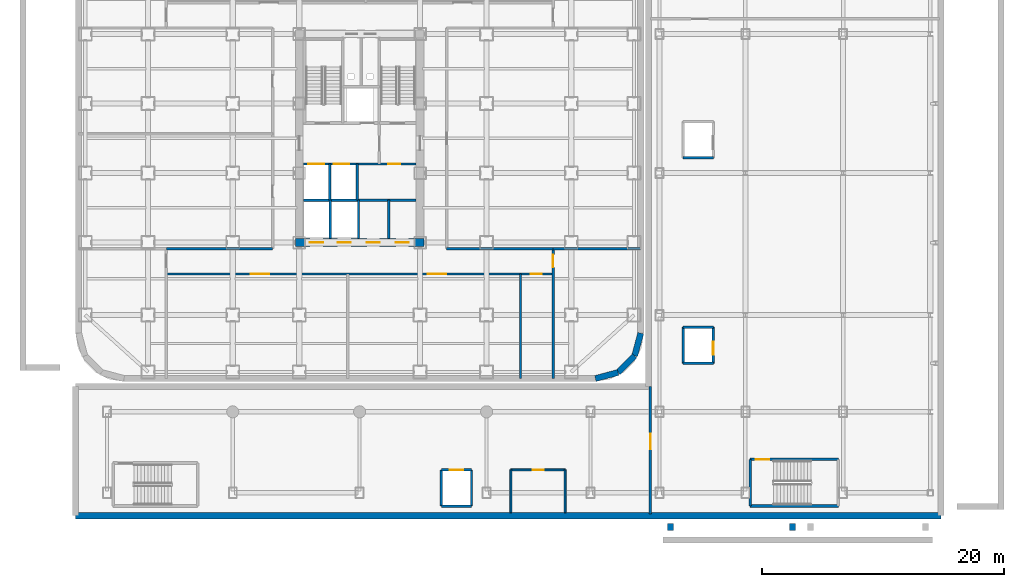
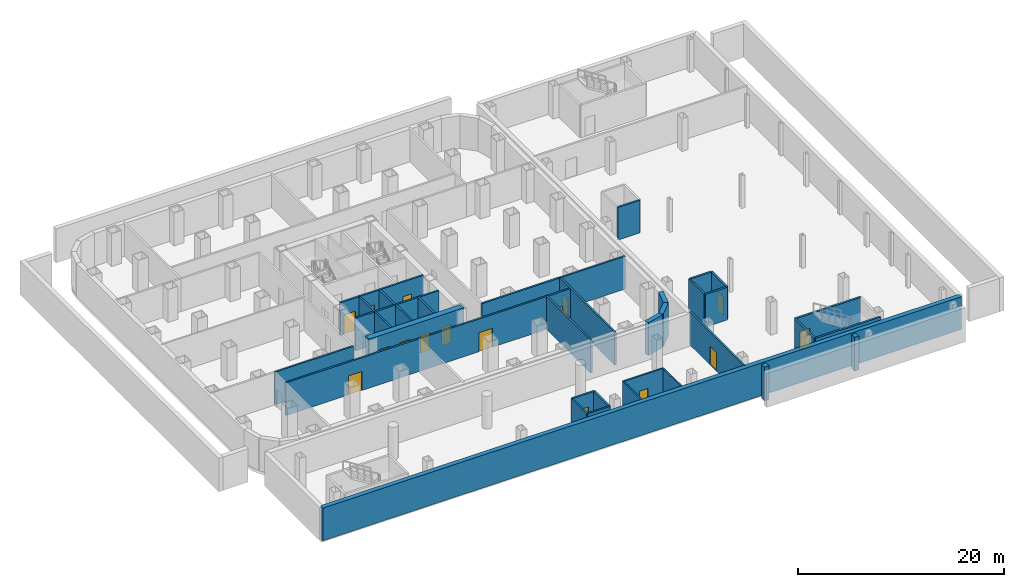
# One storey, part 8 of 16: 36 walls, 16 doors, 16 openings.
"""IFC4 building model written with IfcOpenShell, lengths in metres."""

from ifc_helpers import new_model, si_unit, direction, frame, frame_2d, origin, place, context, subcontext, project, spatial, rectangle, extrude, material, layer, layer_set, type_object, element, fill, save


model = new_model("IFC4")

# Units and contexts
model_context = context("Model", 3, precision=1e-05, world=origin(), true_north=direction((0.0, 1.0)))
body_context = subcontext(model_context, "Body", "Model", "MODEL_VIEW")
ifc_project = project(units=[si_unit("LENGTHUNIT", "METRE"), si_unit("AREAUNIT", "SQUARE_METRE"), si_unit("VOLUMEUNIT", "CUBIC_METRE"), si_unit("PLANEANGLEUNIT", "RADIAN"), si_unit("MASSUNIT", "GRAM", prefix="KILO")], contexts=[model_context])

# Site, building, storey
site_placement = place(None, origin())
site = spatial("IfcSite", under=ifc_project, at=site_placement, CompositionType="ELEMENT")
building_placement = place(site_placement, origin())
building = spatial("IfcBuilding", under=site, at=building_placement, Name="Kolveth Station Tower", CompositionType="ELEMENT")
storey_placement = place(building_placement, frame((0.0, 0.0, -4.199951171875)))
storey = spatial("IfcBuildingStorey", under=building, at=storey_placement, Name="B1", CompositionType="ELEMENT", Elevation=-4.199951171875)

# Wall, openings, doors
ifc_material_1 = material(Name="Concrete C60/75", Category="concrete")
ifc_layer_1 = layer(ifc_material_1, 0.64990234375)
ifc_layer_set_1 = layer_set([ifc_layer_1], Name="Concrete C60/75")
wall_type_1 = type_object("IfcWallType", Name="Wall_CW-650", PredefinedType="SHEAR", material=ifc_layer_set_1)
wall_1_placement = place(storey_placement, frame((18.175048828125, 11.5, 0.0), z_axis=(0.0, 0.0, 1.0), x_axis=(1.0, 0.0, 0.0)))
wall_1 = element("IfcWall", 1, at=wall_1_placement, inside=storey, type_object=wall_type_1, Name="B1 Core RC Shear Wall S", PredefinedType="SHEAR", context=body_context, shape_type="SweptSolid", body=[
    extrude(rectangle(XDim=10.64990234375, YDim=0.64990234375, at=frame_2d((5.324951171875, 0.0))), origin(), (0.0, 0.0, 1.0), 3.8798828125),
])
opening_1_placement = place(wall_1_placement, frame((1.195068359375, 0.0, 0.0)))
opening_1 = element("IfcOpeningElement", 2, at=opening_1_placement, cuts=wall_1, Name="Opening LD1", PredefinedType="OPENING", context=body_context, shape_type="SweptSolid", body=[
    extrude(rectangle(XDim=1.10009765625, YDim=2.25, at=frame_2d((0.550048828125, 1.125))), frame((0.0, 0.3349609375, 0.0), z_axis=(0.0, -1.0, 0.0), x_axis=(1.0, 0.0, 0.0)), (0.0, 0.0, 1.0), 0.669921875),
])
opening_2_placement = place(wall_1_placement, frame((3.4951171875, 0.0, 0.0)))
opening_2 = element("IfcOpeningElement", 3, at=opening_2_placement, cuts=wall_1, Name="Opening LD1", PredefinedType="OPENING", context=body_context, shape_type="SweptSolid", body=[
    extrude(rectangle(XDim=1.10009765625, YDim=2.25, at=frame_2d((0.550048828125, 1.125))), frame((0.0, 0.3349609375, 0.0), z_axis=(0.0, -1.0, 0.0), x_axis=(1.0, 0.0, 0.0)), (0.0, 0.0, 1.0), 0.669921875),
])
opening_3_placement = place(wall_1_placement, frame((5.925048828125, 0.0, 0.0)))
opening_3 = element("IfcOpeningElement", 4, at=opening_3_placement, cuts=wall_1, Name="Opening FD2", PredefinedType="OPENING", context=body_context, shape_type="SweptSolid", body=[
    extrude(rectangle(XDim=1.050048828125, YDim=2.14990234375, at=frame_2d((0.52490234375, 1.074951171875))), frame((0.0, 0.3349609375, 0.0), z_axis=(0.0, -1.0, 0.0), x_axis=(1.0, 0.0, 0.0)), (0.0, 0.0, 1.0), 0.669921875),
])
opening_4_placement = place(wall_1_placement, frame((8.324951171875, 0.0, 0.0)))
opening_4 = element("IfcOpeningElement", 5, at=opening_4_placement, cuts=wall_1, Name="Opening FD2", PredefinedType="OPENING", context=body_context, shape_type="SweptSolid", body=[
    extrude(rectangle(XDim=1.050048828125, YDim=2.14990234375, at=frame_2d((0.52490234375, 1.074951171875))), frame((0.0, 0.3349609375, 0.0), z_axis=(0.0, -1.0, 0.0), x_axis=(1.0, 0.0, 0.0)), (0.0, 0.0, 1.0), 0.669921875),
])
ifc_material_2 = material(Name="Fire-rated Steel S355 leaf and frame", Category="steel")
door_type_1 = type_object("IfcDoorType", Name="Door_FD2", OperationType="NOTDEFINED", PredefinedType="DOOR", material=ifc_material_2)
door_1_placement = place(opening_3_placement, frame((1.050048828125, 0.0, 0.0), z_axis=(0.0, 0.0, 1.0), x_axis=(-1.0, 0.0, 0.0)))
door_1 = element("IfcDoor", 6, at=door_1_placement, inside=storey, type_object=door_type_1, Name="B1 Meter Room Door", OperationType="SINGLE_SWING_LEFT", OverallHeight=2.14990234375, OverallWidth=1.050048828125, PredefinedType="DOOR", context=body_context, shape_type="SweptSolid", body=[
    extrude(rectangle(XDim=1.050048828125, YDim=2.14990234375, at=frame_2d((0.52490234375, 1.074951171875))), frame((0.0, 0.02490234375, 0.0), z_axis=(0.0, -1.0, 0.0), x_axis=(1.0, 0.0, 0.0)), (0.0, 0.0, 1.0), 0.050048828125),
])
fill(opening_3, door_1)
door_2_placement = place(opening_4_placement, frame((1.050048828125, 0.0, 0.0), z_axis=(0.0, 0.0, 1.0), x_axis=(-1.0, 0.0, 0.0)))
door_2 = element("IfcDoor", 7, at=door_2_placement, inside=storey, type_object=door_type_1, Name="B1 Telecom Room Door", OperationType="SINGLE_SWING_LEFT", OverallHeight=2.14990234375, OverallWidth=1.050048828125, PredefinedType="DOOR", context=body_context, shape_type="SweptSolid", body=[
    extrude(rectangle(XDim=1.050048828125, YDim=2.14990234375, at=frame_2d((0.52490234375, 1.074951171875))), frame((0.0, 0.02490234375, 0.0), z_axis=(0.0, -1.0, 0.0), x_axis=(1.0, 0.0, 0.0)), (0.0, 0.0, 1.0), 0.050048828125),
])
fill(opening_4, door_2)
ifc_material_3 = material(Name="Brushed stainless steel sliding landing doors", Category="steel")
door_type_2 = type_object("IfcDoorType", Name="Door_LD1", OperationType="NOTDEFINED", PredefinedType="DOOR", material=ifc_material_3)
door_3_placement = place(opening_1_placement, frame((1.10009765625, 0.0, 0.0), z_axis=(0.0, 0.0, 1.0), x_axis=(-1.0, 0.0, 0.0)))
door_3 = element("IfcDoor", 8, at=door_3_placement, inside=storey, type_object=door_type_2, Name="B1 Lift PL1 Landing Door", OperationType="DOUBLE_DOOR_SLIDING", OverallHeight=2.25, OverallWidth=1.10009765625, PredefinedType="DOOR", context=body_context, shape_type="SweptSolid", body=[
    extrude(rectangle(XDim=1.10009765625, YDim=2.25, at=frame_2d((0.550048828125, 1.125))), frame((0.0, 0.02490234375, 0.0), z_axis=(0.0, -1.0, 0.0), x_axis=(1.0, 0.0, 0.0)), (0.0, 0.0, 1.0), 0.050048828125),
])
fill(opening_1, door_3)
door_4_placement = place(opening_2_placement, frame((1.10009765625, 0.0, 0.0), z_axis=(0.0, 0.0, 1.0), x_axis=(-1.0, 0.0, 0.0)))
door_4 = element("IfcDoor", 9, at=door_4_placement, inside=storey, type_object=door_type_2, Name="B1 Lift PL2 Landing Door", OperationType="DOUBLE_DOOR_SLIDING", OverallHeight=2.25, OverallWidth=1.10009765625, PredefinedType="DOOR", context=body_context, shape_type="SweptSolid", body=[
    extrude(rectangle(XDim=1.10009765625, YDim=2.25, at=frame_2d((0.550048828125, 1.125))), frame((0.0, 0.02490234375, 0.0), z_axis=(0.0, -1.0, 0.0), x_axis=(1.0, 0.0, 0.0)), (0.0, 0.0, 1.0), 0.050048828125),
])
fill(opening_2, door_4)

# Wall, opening, door
ifc_material_4 = material(Name="Acoustic double-stud gypsum partition")
ifc_layer_2 = layer(ifc_material_4, 0.1650390625)
ifc_layer_set_2 = layer_set([ifc_layer_2], Name="Acoustic double-stud gypsum partition")
wall_type_2 = type_object("IfcWallType", Name="Wall_IW-165", PredefinedType="PARTITIONING", material=ifc_layer_set_2)
wall_2_placement = place(storey_placement, frame((36.0, -7.300048828125, 0.0), z_axis=(0.0, 0.0, 1.0), x_axis=(1.0, 0.0, 0.0)))
wall_2 = element("IfcWall", 10, at=wall_2_placement, inside=storey, type_object=wall_type_2, Name="B1 Partition Wall WL-B1-SWC-N", PredefinedType="PARTITIONING", context=body_context, shape_type="SweptSolid", body=[
    extrude(rectangle(XDim=4.5, YDim=0.1650390625, at=frame_2d((2.25, 0.0))), origin(), (0.0, 0.0, 1.0), 3.8798828125),
])
opening_5_placement = place(wall_2_placement, frame((1.800048828125, 0.0, 0.0)))
opening_5 = element("IfcOpeningElement", 11, at=opening_5_placement, cuts=wall_2, Name="Opening ID2", PredefinedType="OPENING", context=body_context, shape_type="SweptSolid", body=[
    extrude(rectangle(XDim=0.919921875, YDim=2.10009765625, at=frame_2d((0.4599609375, 1.050048828125))), frame((0.0, 0.092529296875, 0.0), z_axis=(0.0, -1.0, 0.0), x_axis=(1.0, 0.0, 0.0)), (0.0, 0.0, 1.0), 0.18505859375),
])
ifc_material_5 = material(Name="Moisture-resistant hardwood leaf", Category="wood")
door_type_3 = type_object("IfcDoorType", Name="Door_ID2", OperationType="NOTDEFINED", PredefinedType="DOOR", material=ifc_material_5)
door_5_placement = place(opening_5_placement, origin())
door_5 = element("IfcDoor", 12, at=door_5_placement, inside=storey, type_object=door_type_3, Name="B1 Station Accessible WC Door", OperationType="SINGLE_SWING_LEFT", OverallHeight=2.10009765625, OverallWidth=0.919921875, PredefinedType="DOOR", context=body_context, shape_type="SweptSolid", body=[
    extrude(rectangle(XDim=0.919921875, YDim=2.10009765625, at=frame_2d((0.4599609375, 1.050048828125))), frame((0.0, 0.02490234375, 0.0), z_axis=(0.0, -1.0, 0.0), x_axis=(1.0, 0.0, 0.0)), (0.0, 0.0, 1.0), 0.050048828125),
])
fill(opening_5, door_5)

# Walls
for number, where, z_axis, x_axis, name in (
    (13, (36.0, -10.85009765625, 0.0), (0.0, 0.0, 1.0), (0.0, 1.0, 0.0), "B1 Partition Wall WL-B1-SWC-W"),
    (14, (40.5, -10.85009765625, 0.0), (0.0, 0.0, 1.0), (0.0, 1.0, 0.0), "B1 Partition Wall WL-B1-SWC-E"),
):
    element("IfcWall", number, at=place(storey_placement, frame(where, z_axis=z_axis, x_axis=x_axis)), inside=storey, type_object=wall_type_2, Name=name, PredefinedType="PARTITIONING", context=body_context, shape_type="SweptSolid", body=[
        extrude(rectangle(XDim=3.550048828125, YDim=0.1650390625, at=frame_2d((1.77490234375, 0.0))), origin(), (0.0, 0.0, 1.0), 3.8798828125),
    ])

# Wall, openings, doors
ifc_material_6 = material(Name="Acoustic fire-rated gypsum blockwork", Category="masonry")
ifc_layer_3 = layer(ifc_material_6, 0.199951171875)
ifc_layer_set_3 = layer_set([ifc_layer_3], Name="Acoustic fire-rated gypsum blockwork")
wall_type_3 = type_object("IfcWallType", Name="Wall_IW-200", PredefinedType="PARTITIONING", material=ifc_layer_set_3)
wall_3_placement = place(storey_placement, frame((18.8349609375, 18.0, 0.0), z_axis=(0.0, 0.0, 1.0), x_axis=(1.0, 0.0, 0.0)))
wall_3 = element("IfcWall", 15, at=wall_3_placement, inside=storey, type_object=wall_type_3, Name="B1 Partition Wall WL-B1-FFL-S", PredefinedType="PARTITIONING", context=body_context, shape_type="SweptSolid", body=[
    extrude(rectangle(XDim=9.330078125, YDim=0.199951171875, at=frame_2d((4.6650390625, 0.0))), origin(), (0.0, 0.0, 1.0), 3.8798828125),
])
opening_6_placement = place(wall_3_placement, frame((0.4150390625, 0.0, 0.0)))
opening_6 = element("IfcOpeningElement", 16, at=opening_6_placement, cuts=wall_3, Name="Opening LD2", PredefinedType="OPENING", context=body_context, shape_type="SweptSolid", body=[
    extrude(rectangle(XDim=1.300048828125, YDim=2.300048828125, at=frame_2d((0.64990234375, 1.14990234375))), frame((0.0, 0.10986328125, 0.0), z_axis=(0.0, -1.0, 0.0), x_axis=(1.0, 0.0, 0.0)), (0.0, 0.0, 1.0), 0.219970703125),
])
opening_7_placement = place(wall_3_placement, frame((2.514892578125, 0.0, 0.0)))
opening_7 = element("IfcOpeningElement", 17, at=opening_7_placement, cuts=wall_3, Name="Opening LD2", PredefinedType="OPENING", context=body_context, shape_type="SweptSolid", body=[
    extrude(rectangle(XDim=1.300048828125, YDim=2.300048828125, at=frame_2d((0.64990234375, 1.14990234375))), frame((0.0, 0.10986328125, 0.0), z_axis=(0.0, -1.0, 0.0), x_axis=(1.0, 0.0, 0.0)), (0.0, 0.0, 1.0), 0.219970703125),
])
opening_8_placement = place(wall_3_placement, frame((7.014892578125, 0.0, 0.0)))
opening_8 = element("IfcOpeningElement", 18, at=opening_8_placement, cuts=wall_3, Name="Opening FD3", PredefinedType="OPENING", context=body_context, shape_type="SweptSolid", body=[
    extrude(rectangle(XDim=1.0, YDim=2.14990234375, at=frame_2d((0.5, 1.074951171875))), frame((0.0, 0.10986328125, 0.0), z_axis=(0.0, -1.0, 0.0), x_axis=(1.0, 0.0, 0.0)), (0.0, 0.0, 1.0), 0.219970703125),
])
ifc_material_7 = material(Name="Fire-rated hardwood leaf and aluminium frame", Category="wood")
door_type_4 = type_object("IfcDoorType", Name="Door_FD3", OperationType="NOTDEFINED", PredefinedType="DOOR", material=ifc_material_7)
door_6_placement = place(opening_8_placement, frame((1.0, 0.0, 0.0), z_axis=(0.0, 0.0, 1.0), x_axis=(-1.0, 0.0, 0.0)))
door_6 = element("IfcDoor", 19, at=door_6_placement, inside=storey, type_object=door_type_4, Name="B1 Core Staff Pantry Door", OperationType="SINGLE_SWING_LEFT", OverallHeight=2.14990234375, OverallWidth=1.0, PredefinedType="DOOR", context=body_context, shape_type="SweptSolid", body=[
    extrude(rectangle(XDim=1.0, YDim=2.14990234375, at=frame_2d((0.5, 1.074951171875))), frame((0.0, 0.02490234375, 0.0), z_axis=(0.0, -1.0, 0.0), x_axis=(1.0, 0.0, 0.0)), (0.0, 0.0, 1.0), 0.050048828125),
])
fill(opening_8, door_6)
ifc_material_8 = material(Name="Firefighting stainless steel sliding landing doors", Category="steel")
door_type_5 = type_object("IfcDoorType", Name="Door_LD2", OperationType="NOTDEFINED", PredefinedType="DOOR", material=ifc_material_8)
door_7_placement = place(opening_6_placement, origin())
door_7 = element("IfcDoor", 20, at=door_7_placement, inside=storey, type_object=door_type_5, Name="B1 Firefighting Lift FF1 Landing Door", OperationType="DOUBLE_DOOR_SLIDING", OverallHeight=2.300048828125, OverallWidth=1.300048828125, PredefinedType="DOOR", context=body_context, shape_type="SweptSolid", body=[
    extrude(rectangle(XDim=1.300048828125, YDim=2.300048828125, at=frame_2d((0.64990234375, 1.14990234375))), frame((0.0, 0.02490234375, 0.0), z_axis=(0.0, -1.0, 0.0), x_axis=(1.0, 0.0, 0.0)), (0.0, 0.0, 1.0), 0.050048828125),
])
fill(opening_6, door_7)
door_8_placement = place(opening_7_placement, origin())
door_8 = element("IfcDoor", 21, at=door_8_placement, inside=storey, type_object=door_type_5, Name="B1 Firefighting Lift FF2 Landing Door", OperationType="DOUBLE_DOOR_SLIDING", OverallHeight=2.300048828125, OverallWidth=1.300048828125, PredefinedType="DOOR", context=body_context, shape_type="SweptSolid", body=[
    extrude(rectangle(XDim=1.300048828125, YDim=2.300048828125, at=frame_2d((0.64990234375, 1.14990234375))), frame((0.0, 0.02490234375, 0.0), z_axis=(0.0, -1.0, 0.0), x_axis=(1.0, 0.0, 0.0)), (0.0, 0.0, 1.0), 0.050048828125),
])
fill(opening_7, door_8)

# Walls
for number, where, z_axis, x_axis, name in (
    (22, (21.02001953125, 15.0, 0.0), (0.0, 0.0, 1.0), (0.0, 1.0, 0.0), "B1 Partition Wall WL-B1-FF12"),
    (23, (23.300048828125, 15.0, 0.0), (0.0, 0.0, 1.0), (0.0, 1.0, 0.0), "B1 Partition Wall WL-B1-FF2E"),
):
    element("IfcWall", number, at=place(storey_placement, frame(where, z_axis=z_axis, x_axis=x_axis)), inside=storey, type_object=wall_type_3, Name=name, PredefinedType="PARTITIONING", context=body_context, shape_type="SweptSolid", body=[
        extrude(rectangle(XDim=3.0, YDim=0.199951171875, at=frame_2d((1.5, 0.0))), origin(), (0.0, 0.0, 1.0), 3.8798828125),
    ])
wall_4_placement = place(storey_placement, frame((18.8349609375, 15.0, 0.0), z_axis=(0.0, 0.0, 1.0), x_axis=(1.0, 0.0, 0.0)))
element("IfcWall", 24, at=wall_4_placement, inside=storey, type_object=wall_type_3, Name="B1 Partition Wall WL-B1-BOH-S", PredefinedType="PARTITIONING", context=body_context, shape_type="SweptSolid", body=[
    extrude(rectangle(XDim=9.330078125, YDim=0.199951171875, at=frame_2d((4.6650390625, 0.0))), origin(), (0.0, 0.0, 1.0), 3.8798828125),
])
for number, where, z_axis, x_axis, name in (
    (25, (21.050048828125, 11.8349609375, 0.0), (0.0, 0.0, 1.0), (0.0, 1.0, 0.0), "B1 Partition Wall WL-B1-PL12"),
    (26, (23.39990234375, 11.8349609375, 0.0), (0.0, 0.0, 1.0), (0.0, 1.0, 0.0), "B1 Partition Wall WL-B1-PL2E"),
    (27, (25.89990234375, 11.8349609375, 0.0), (0.0, 0.0, 1.0), (0.0, 1.0, 0.0), "B1 Partition Wall WL-B1-PMPH"),
):
    element("IfcWall", number, at=place(storey_placement, frame(where, z_axis=z_axis, x_axis=x_axis)), inside=storey, type_object=wall_type_3, Name=name, PredefinedType="PARTITIONING", context=body_context, shape_type="SweptSolid", body=[
        extrude(rectangle(XDim=3.1650390625, YDim=0.199951171875, at=frame_2d((1.58251953125, 0.0))), origin(), (0.0, 0.0, 1.0), 3.8798828125),
    ])

# Wall, openings, doors
wall_5_placement = place(storey_placement, frame((7.5, 8.89990234375, 0.0), z_axis=(0.0, 0.0, 1.0), x_axis=(1.0, 0.0, 0.0)))
wall_5 = element("IfcWall", 28, at=wall_5_placement, inside=storey, type_object=wall_type_3, Name="B1 Partition Wall WL-B1-BS", PredefinedType="PARTITIONING", context=body_context, shape_type="SweptSolid", body=[
    extrude(rectangle(XDim=32.0, YDim=0.199951171875, at=frame_2d((16.0, 0.0))), origin(), (0.0, 0.0, 1.0), 3.8798828125),
])
opening_9_placement = place(wall_5_placement, frame((7.0, 0.0, 0.0)))
opening_9 = element("IfcOpeningElement", 29, at=opening_9_placement, cuts=wall_5, Name="Opening FD4", PredefinedType="OPENING", context=body_context, shape_type="SweptSolid", body=[
    extrude(rectangle(XDim=1.5, YDim=2.25, at=frame_2d((0.75, 1.125))), frame((0.0, 0.10986328125, 0.0), z_axis=(0.0, -1.0, 0.0), x_axis=(1.0, 0.0, 0.0)), (0.0, 0.0, 1.0), 0.219970703125),
])
opening_10_placement = place(wall_5_placement, frame((21.64990234375, 0.0, 0.0)))
opening_10 = element("IfcOpeningElement", 30, at=opening_10_placement, cuts=wall_5, Name="Opening FD4", PredefinedType="OPENING", context=body_context, shape_type="SweptSolid", body=[
    extrude(rectangle(XDim=1.5, YDim=2.25, at=frame_2d((0.75, 1.125))), frame((0.0, 0.10986328125, 0.0), z_axis=(0.0, -1.0, 0.0), x_axis=(1.0, 0.0, 0.0)), (0.0, 0.0, 1.0), 0.219970703125),
])
opening_11_placement = place(wall_5_placement, frame((30.14990234375, 0.0, 0.0)))
opening_11 = element("IfcOpeningElement", 31, at=opening_11_placement, cuts=wall_5, Name="Opening ID2", PredefinedType="OPENING", context=body_context, shape_type="SweptSolid", body=[
    extrude(rectangle(XDim=0.919921875, YDim=2.10009765625, at=frame_2d((0.4599609375, 1.050048828125))), frame((0.0, 0.10986328125, 0.0), z_axis=(0.0, -1.0, 0.0), x_axis=(1.0, 0.0, 0.0)), (0.0, 0.0, 1.0), 0.219970703125),
])
ifc_material_9 = material(Name="Fire-rated double Steel S355 leaf", Category="steel")
door_type_6 = type_object("IfcDoorType", Name="Door_FD4", OperationType="NOTDEFINED", PredefinedType="DOOR", material=ifc_material_9)
door_9_placement = place(opening_9_placement, frame((1.5, 0.0, 0.0), z_axis=(0.0, 0.0, 1.0), x_axis=(-1.0, 0.0, 0.0)))
door_9 = element("IfcDoor", 32, at=door_9_placement, inside=storey, type_object=door_type_6, Name="B1 Building Maintenance Plant Room Door", OperationType="SINGLE_SWING_RIGHT", OverallHeight=2.25, OverallWidth=1.5, PredefinedType="DOOR", context=body_context, shape_type="SweptSolid", body=[
    extrude(rectangle(XDim=1.5, YDim=2.25, at=frame_2d((0.75, 1.125))), frame((0.0, 0.02490234375, 0.0), z_axis=(0.0, -1.0, 0.0), x_axis=(1.0, 0.0, 0.0)), (0.0, 0.0, 1.0), 0.050048828125),
])
fill(opening_9, door_9)
door_10_placement = place(opening_10_placement, frame((1.5, 0.0, 0.0), z_axis=(0.0, 0.0, 1.0), x_axis=(-1.0, 0.0, 0.0)))
door_10 = element("IfcDoor", 33, at=door_10_placement, inside=storey, type_object=door_type_6, Name="B1 Fire and Domestic Water Tank Room Door", OperationType="SINGLE_SWING_LEFT", OverallHeight=2.25, OverallWidth=1.5, PredefinedType="DOOR", context=body_context, shape_type="SweptSolid", body=[
    extrude(rectangle(XDim=1.5, YDim=2.25, at=frame_2d((0.75, 1.125))), frame((0.0, 0.02490234375, 0.0), z_axis=(0.0, -1.0, 0.0), x_axis=(1.0, 0.0, 0.0)), (0.0, 0.0, 1.0), 0.050048828125),
])
fill(opening_10, door_10)
door_11_placement = place(opening_11_placement, frame((0.919921875, 0.0, 0.0), z_axis=(0.0, 0.0, 1.0), x_axis=(-1.0, 0.0, 0.0)))
door_11 = element("IfcDoor", 34, at=door_11_placement, inside=storey, type_object=door_type_3, Name="B1 Staff Accessible WC Door", OperationType="SINGLE_SWING_RIGHT", OverallHeight=2.10009765625, OverallWidth=0.919921875, PredefinedType="DOOR", context=body_context, shape_type="SweptSolid", body=[
    extrude(rectangle(XDim=0.919921875, YDim=2.10009765625, at=frame_2d((0.4599609375, 1.050048828125))), frame((0.0, 0.02490234375, 0.0), z_axis=(0.0, -1.0, 0.0), x_axis=(1.0, 0.0, 0.0)), (0.0, 0.0, 1.0), 0.050048828125),
])
fill(opening_11, door_11)

# Walls
for number, where, z_axis, x_axis, name in (
    (35, (7.5, 11.0, 0.0), (0.0, 0.0, 1.0), (1.0, 0.0, 0.0), "B1 Partition Wall WL-B1-BSWT"),
    (36, (30.699951171875, 11.0, 0.0), (0.0, 0.0, 1.0), (1.0, 0.0, 0.0), "B1 Partition Wall WL-B1-BSET"),
):
    element("IfcWall", number, at=place(storey_placement, frame(where, z_axis=z_axis, x_axis=x_axis)), inside=storey, type_object=wall_type_3, Name=name, PredefinedType="PARTITIONING", context=body_context, shape_type="SweptSolid", body=[
        extrude(rectangle(XDim=8.800048828125, YDim=0.199951171875, at=frame_2d((4.39990234375, 0.0))), origin(), (0.0, 0.0, 1.0), 3.8798828125),
    ])

# Wall, opening, door
wall_6_placement = place(storey_placement, frame((39.5, 0.25, 0.0), z_axis=(0.0, 0.0, 1.0), x_axis=(0.0, 1.0, 0.0)))
wall_6 = element("IfcWall", 37, at=wall_6_placement, inside=storey, type_object=wall_type_3, Name="B1 Partition Wall WL-B1-BES", PredefinedType="PARTITIONING", context=body_context, shape_type="SweptSolid", body=[
    extrude(rectangle(XDim=10.75, YDim=0.199951171875, at=frame_2d((5.375, 0.0))), origin(), (0.0, 0.0, 1.0), 3.8798828125),
])
opening_12_placement = place(wall_6_placement, frame((9.199951171875, 0.0, 0.0)))
opening_12 = element("IfcOpeningElement", 38, at=opening_12_placement, cuts=wall_6, Name="Opening FD2", PredefinedType="OPENING", context=body_context, shape_type="SweptSolid", body=[
    extrude(rectangle(XDim=1.050048828125, YDim=2.14990234375, at=frame_2d((0.52490234375, 1.074951171875))), frame((0.0, 0.10986328125, 0.0), z_axis=(0.0, -1.0, 0.0), x_axis=(1.0, 0.0, 0.0)), (0.0, 0.0, 1.0), 0.219970703125),
])
door_12_placement = place(opening_12_placement, origin())
door_12 = element("IfcDoor", 39, at=door_12_placement, inside=storey, type_object=door_type_1, Name="B1 Auxiliary MEP Plant Room CSE Door", OperationType="SINGLE_SWING_LEFT", OverallHeight=2.14990234375, OverallWidth=1.050048828125, PredefinedType="DOOR", context=body_context, shape_type="SweptSolid", body=[
    extrude(rectangle(XDim=1.050048828125, YDim=2.14990234375, at=frame_2d((0.52490234375, 1.074951171875))), frame((0.0, 0.02490234375, 0.0), z_axis=(0.0, -1.0, 0.0), x_axis=(1.0, 0.0, 0.0)), (0.0, 0.0, 1.0), 0.050048828125),
])
fill(opening_12, door_12)

# Walls
wall_7_placement = place(storey_placement, frame((39.5, 11.0, 0.0), z_axis=(0.0, 0.0, 1.0), x_axis=(1.0, 0.0, 0.0)))
element("IfcWall", 40, at=wall_7_placement, inside=storey, type_object=wall_type_3, Name="B1 Partition Wall WL-B1-BEM1", PredefinedType="PARTITIONING", context=body_context, shape_type="SweptSolid", body=[
    extrude(rectangle(XDim=7.25, YDim=0.199951171875, at=frame_2d((3.625, 0.0))), origin(), (0.0, 0.0, 1.0), 3.8798828125),
])
wall_8_placement = place(storey_placement, frame((36.800048828125, 0.25, 0.0), z_axis=(0.0, 0.0, 1.0), x_axis=(0.0, 1.0, 0.0)))
element("IfcWall", 41, at=wall_8_placement, inside=storey, type_object=wall_type_3, Name="B1 Partition Wall WL-B1-TBS-P2", PredefinedType="PARTITIONING", context=body_context, shape_type="SweptSolid", body=[
    extrude(rectangle(XDim=8.64990234375, YDim=0.199951171875, at=frame_2d((4.324951171875, 0.0))), origin(), (0.0, 0.0, 1.0), 3.8798828125),
])
for number, where, z_axis, x_axis, name in (
    (42, (50.25, 1.5, 0.0), (0.0, 0.0, 1.0), (1.0, 0.0, 0.0), "B1 Partition Wall WL-B1-SL1-S"),
    (43, (50.25, 4.5, 0.0), (0.0, 0.0, 1.0), (1.0, 0.0, 0.0), "B1 Partition Wall WL-B1-SL1-N"),
):
    element("IfcWall", number, at=place(storey_placement, frame(where, z_axis=z_axis, x_axis=x_axis)), inside=storey, type_object=wall_type_3, Name=name, PredefinedType="PARTITIONING", context=body_context, shape_type="SweptSolid", body=[
        extrude(rectangle(XDim=2.5, YDim=0.199951171875, at=frame_2d((1.25, 0.0))), origin(), (0.0, 0.0, 1.0), 3.8798828125),
    ])
wall_9_placement = place(storey_placement, frame((50.25, 1.5, 0.0), z_axis=(0.0, 0.0, 1.0), x_axis=(0.0, 1.0, 0.0)))
element("IfcWall", 44, at=wall_9_placement, inside=storey, type_object=wall_type_3, Name="B1 Partition Wall WL-B1-SL1-W", PredefinedType="PARTITIONING", context=body_context, shape_type="SweptSolid", body=[
    extrude(rectangle(XDim=3.0, YDim=0.199951171875, at=frame_2d((1.5, 0.0))), origin(), (0.0, 0.0, 1.0), 3.8798828125),
])

# Wall, opening, door
wall_10_placement = place(storey_placement, frame((52.75, 1.5, 0.0), z_axis=(0.0, 0.0, 1.0), x_axis=(0.0, 1.0, 0.0)))
wall_10 = element("IfcWall", 45, at=wall_10_placement, inside=storey, type_object=wall_type_3, Name="B1 Partition Wall WL-B1-SL1-E", PredefinedType="PARTITIONING", context=body_context, shape_type="SweptSolid", body=[
    extrude(rectangle(XDim=3.0, YDim=0.199951171875, at=frame_2d((1.5, 0.0))), origin(), (0.0, 0.0, 1.0), 3.8798828125),
])
opening_13_placement = place(wall_10_placement, frame((0.699951171875, 0.0, 0.0)))
opening_13 = element("IfcOpeningElement", 46, at=opening_13_placement, cuts=wall_10, Name="Opening LD1", PredefinedType="OPENING", context=body_context, shape_type="SweptSolid", body=[
    extrude(rectangle(XDim=1.10009765625, YDim=2.25, at=frame_2d((0.550048828125, 1.125))), frame((0.0, 0.10986328125, 0.0), z_axis=(0.0, -1.0, 0.0), x_axis=(1.0, 0.0, 0.0)), (0.0, 0.0, 1.0), 0.219970703125),
])
door_13_placement = place(opening_13_placement, origin())
door_13 = element("IfcDoor", 47, at=door_13_placement, inside=storey, type_object=door_type_2, Name="B1 Station Lift SL1 Landing Door", OperationType="DOUBLE_DOOR_SLIDING", OverallHeight=2.25, OverallWidth=1.10009765625, PredefinedType="DOOR", context=body_context, shape_type="SweptSolid", body=[
    extrude(rectangle(XDim=1.10009765625, YDim=2.25, at=frame_2d((0.550048828125, 1.125))), frame((0.0, 0.02490234375, 0.0), z_axis=(0.0, -1.0, 0.0), x_axis=(1.0, 0.0, 0.0)), (0.0, 0.0, 1.0), 0.050048828125),
])
fill(opening_13, door_13)

# Walls
for number, where, z_axis, x_axis, name in (
    (48, (50.25, 18.5, 0.0), (0.0, 0.0, 1.0), (1.0, 0.0, 0.0), "B1 Partition Wall WL-B1-SL2-S"),
    (49, (30.25, -10.300048828125, 0.0), (0.0, 0.0, 1.0), (1.0, 0.0, 0.0), "B1 Partition Wall WL-B1-SL3-S"),
):
    element("IfcWall", number, at=place(storey_placement, frame(where, z_axis=z_axis, x_axis=x_axis)), inside=storey, type_object=wall_type_3, Name=name, PredefinedType="PARTITIONING", context=body_context, shape_type="SweptSolid", body=[
        extrude(rectangle(XDim=2.5, YDim=0.199951171875, at=frame_2d((1.25, 0.0))), origin(), (0.0, 0.0, 1.0), 3.8798828125),
    ])

# Wall, opening, door
wall_11_placement = place(storey_placement, frame((30.25, -7.300048828125, 0.0), z_axis=(0.0, 0.0, 1.0), x_axis=(1.0, 0.0, 0.0)))
wall_11 = element("IfcWall", 50, at=wall_11_placement, inside=storey, type_object=wall_type_3, Name="B1 Partition Wall WL-B1-SL3-N", PredefinedType="PARTITIONING", context=body_context, shape_type="SweptSolid", body=[
    extrude(rectangle(XDim=2.5, YDim=0.199951171875, at=frame_2d((1.25, 0.0))), origin(), (0.0, 0.0, 1.0), 3.8798828125),
])
opening_14_placement = place(wall_11_placement, frame((0.699951171875, 0.0, 0.0)))
opening_14 = element("IfcOpeningElement", 51, at=opening_14_placement, cuts=wall_11, Name="Opening LD1", PredefinedType="OPENING", context=body_context, shape_type="SweptSolid", body=[
    extrude(rectangle(XDim=1.10009765625, YDim=2.25, at=frame_2d((0.550048828125, 1.125))), frame((0.0, 0.10986328125, 0.0), z_axis=(0.0, -1.0, 0.0), x_axis=(1.0, 0.0, 0.0)), (0.0, 0.0, 1.0), 0.219970703125),
])
door_14_placement = place(opening_14_placement, origin())
door_14 = element("IfcDoor", 52, at=door_14_placement, inside=storey, type_object=door_type_2, Name="B1 Station Lift SL3 Landing Door", OperationType="DOUBLE_DOOR_SLIDING", OverallHeight=2.25, OverallWidth=1.10009765625, PredefinedType="DOOR", context=body_context, shape_type="SweptSolid", body=[
    extrude(rectangle(XDim=1.10009765625, YDim=2.25, at=frame_2d((0.550048828125, 1.125))), frame((0.0, 0.02490234375, 0.0), z_axis=(0.0, -1.0, 0.0), x_axis=(1.0, 0.0, 0.0)), (0.0, 0.0, 1.0), 0.050048828125),
])
fill(opening_14, door_14)

# Walls
for number, where, z_axis, x_axis, name in (
    (53, (30.25, -10.300048828125, 0.0), (0.0, 0.0, 1.0), (0.0, 1.0, 0.0), "B1 Partition Wall WL-B1-SL3-W"),
    (54, (32.75, -10.300048828125, 0.0), (0.0, 0.0, 1.0), (0.0, 1.0, 0.0), "B1 Partition Wall WL-B1-SL3-E"),
):
    element("IfcWall", number, at=place(storey_placement, frame(where, z_axis=z_axis, x_axis=x_axis)), inside=storey, type_object=wall_type_3, Name=name, PredefinedType="PARTITIONING", context=body_context, shape_type="SweptSolid", body=[
        extrude(rectangle(XDim=3.0, YDim=0.199951171875, at=frame_2d((1.5, 0.0))), origin(), (0.0, 0.0, 1.0), 3.8798828125),
    ])

# Wall, opening, door
wall_12_placement = place(storey_placement, frame((47.550048828125, -10.949951171875, 0.0), z_axis=(0.0, 0.0, 1.0), x_axis=(0.0, 1.0, 0.0)))
wall_12 = element("IfcWall", 55, at=wall_12_placement, inside=storey, type_object=wall_type_3, Name="B1 Partition Wall WL-B1-STN-SE", PredefinedType="PARTITIONING", context=body_context, shape_type="SweptSolid", body=[
    extrude(rectangle(XDim=10.550048828125, YDim=0.199951171875, at=frame_2d((5.27490234375, 0.0))), origin(), (0.0, 0.0, 1.0), 3.8798828125),
])
opening_15_placement = place(wall_12_placement, frame((5.35009765625, 0.0, 0.0)))
opening_15 = element("IfcOpeningElement", 56, at=opening_15_placement, cuts=wall_12, Name="Opening ID3", PredefinedType="OPENING", context=body_context, shape_type="SweptSolid", body=[
    extrude(rectangle(XDim=1.300048828125, YDim=2.199951171875, at=frame_2d((0.64990234375, 1.10009765625))), frame((0.0, 0.10986328125, 0.0), z_axis=(0.0, -1.0, 0.0), x_axis=(1.0, 0.0, 0.0)), (0.0, 0.0, 1.0), 0.219970703125),
])
ifc_material_10 = material(Name="Glazed acoustic office double leaf")
door_type_7 = type_object("IfcDoorType", Name="Door_ID3", OperationType="NOTDEFINED", PredefinedType="DOOR", material=ifc_material_10)
door_15_placement = place(opening_15_placement, origin())
door_15 = element("IfcDoor", 57, at=door_15_placement, inside=storey, type_object=door_type_7, Name="B1 Station South-to-East Concourse Door", OperationType="DOUBLE_DOOR_SINGLE_SWING", OverallHeight=2.199951171875, OverallWidth=1.300048828125, PredefinedType="DOOR", context=body_context, shape_type="SweptSolid", body=[
    extrude(rectangle(XDim=1.300048828125, YDim=2.199951171875, at=frame_2d((0.64990234375, 1.10009765625))), frame((0.0, 0.02490234375, 0.0), z_axis=(0.0, -1.0, 0.0), x_axis=(1.0, 0.0, 0.0)), (0.0, 0.0, 1.0), 0.050048828125),
])
fill(opening_15, door_15)

# Wall
ifc_material_11 = material(Name="Concrete C40/50", Category="concrete")
ifc_layer_4 = layer(ifc_material_11, 0.219970703125)
ifc_layer_set_4 = layer_set([ifc_layer_4], Name="Concrete C40/50")
wall_type_4 = type_object("IfcWallType", Name="Wall_IW-220", PredefinedType="SOLIDWALL", material=ifc_layer_set_4)
wall_13_placement = place(storey_placement, frame((55.800048828125, -10.300048828125, 0.0), z_axis=(0.0, 0.0, 1.0), x_axis=(1.0, 0.0, 0.0)))
element("IfcWall", 58, at=wall_13_placement, inside=storey, type_object=wall_type_4, Name="B1 Stair Shaft Wall WL-B1-ST4-S", PredefinedType="SOLIDWALL", context=body_context, shape_type="SweptSolid", body=[
    extrude(rectangle(XDim=7.300048828125, YDim=0.219970703125, at=frame_2d((3.64990234375, 0.0))), origin(), (0.0, 0.0, 1.0), 3.8798828125),
])

# Wall, opening, door
wall_14_placement = place(storey_placement, frame((55.800048828125, -6.43994140625, 0.0), z_axis=(0.0, 0.0, 1.0), x_axis=(1.0, 0.0, 0.0)))
wall_14 = element("IfcWall", 59, at=wall_14_placement, inside=storey, type_object=wall_type_4, Name="B1 Stair Shaft Wall WL-B1-ST4-N", PredefinedType="SOLIDWALL", context=body_context, shape_type="SweptSolid", body=[
    extrude(rectangle(XDim=7.300048828125, YDim=0.219970703125, at=frame_2d((3.64990234375, 0.0))), origin(), (0.0, 0.0, 1.0), 3.8798828125),
])
opening_16_placement = place(wall_14_placement, frame((0.449951171875, 0.0, 0.0)))
opening_16 = element("IfcOpeningElement", 60, at=opening_16_placement, cuts=wall_14, Name="Opening FD1", PredefinedType="OPENING", context=body_context, shape_type="SweptSolid", body=[
    extrude(rectangle(XDim=1.14990234375, YDim=2.199951171875, at=frame_2d((0.574951171875, 1.10009765625))), frame((0.0, 0.119873046875, 0.0), z_axis=(0.0, -1.0, 0.0), x_axis=(1.0, 0.0, 0.0)), (0.0, 0.0, 1.0), 0.239990234375),
])
door_type_8 = type_object("IfcDoorType", Name="Door_FD1", OperationType="NOTDEFINED", PredefinedType="DOOR", material=ifc_material_2)
door_16_placement = place(opening_16_placement, origin())
door_16 = element("IfcDoor", 61, at=door_16_placement, inside=storey, type_object=door_type_8, Name="B1 Station Stair ST4 Door", OperationType="SINGLE_SWING_LEFT", OverallHeight=2.199951171875, OverallWidth=1.14990234375, PredefinedType="DOOR", context=body_context, shape_type="SweptSolid", body=[
    extrude(rectangle(XDim=1.14990234375, YDim=2.199951171875, at=frame_2d((0.574951171875, 1.10009765625))), frame((0.0, 0.02490234375, 0.0), z_axis=(0.0, -1.0, 0.0), x_axis=(1.0, 0.0, 0.0)), (0.0, 0.0, 1.0), 0.050048828125),
])
fill(opening_16, door_16)

# Walls
wall_15_placement = place(storey_placement, frame((55.800048828125, -10.300048828125, 0.0), z_axis=(0.0, 0.0, 1.0), x_axis=(0.0, 1.0, 0.0)))
element("IfcWall", 62, at=wall_15_placement, inside=storey, type_object=wall_type_4, Name="B1 Stair Shaft Wall WL-B1-ST4-W", PredefinedType="SOLIDWALL", context=body_context, shape_type="SweptSolid", body=[
    extrude(rectangle(XDim=3.860107421875, YDim=0.219970703125, at=frame_2d((1.93017578125, 0.0))), origin(), (0.0, 0.0, 1.0), 3.8798828125),
])
ifc_material_12 = material(Name="Concrete C50/60", Category="concrete")
ifc_layer_5 = layer(ifc_material_12, 0.5)
ifc_layer_set_5 = layer_set([ifc_layer_5], Name="Concrete C50/60")
wall_type_5 = type_object("IfcWallType", Name="Wall_RW-500", PredefinedType="USERDEFINED", material=ifc_layer_set_5)
for number, where, z_axis, x_axis, name in (
    (63, (43.0, 0.25, 0.0), (0.0, 0.0, 1.0), (0.965921103361, 0.258836670666, 0.0), "B1 Tower Basement Retaining Wall 1"),
    (64, (44.875, 0.75244140625, 0.0), (0.0, 0.0, 1.0), (0.707106781187, 0.707106781187, 0.0), "B1 Tower Basement Retaining Wall 2"),
    (65, (46.24755859375, 2.125, 0.0), (0.0, 0.0, 1.0), (0.258836670666, 0.965921103361, 0.0), "B1 Tower Basement Retaining Wall 3"),
):
    element("IfcWall", number, at=place(storey_placement, frame(where, z_axis=z_axis, x_axis=x_axis)), inside=storey, type_object=wall_type_5, Name=name, ObjectType="RETAININGWALL", PredefinedType="USERDEFINED", context=body_context, shape_type="SweptSolid", body=[
        extrude(rectangle(XDim=1.941162109375, YDim=0.5, at=frame_2d((0.970703125, 0.0))), origin(), (0.0, 0.0, 1.0), 3.8798828125),
    ])
wall_16_placement = place(storey_placement, frame((0.0, -11.10009765625, 0.0), z_axis=(0.0, 0.0, 1.0), x_axis=(1.0, 0.0, 0.0)))
element("IfcWall", 66, at=wall_16_placement, inside=storey, type_object=wall_type_5, Name="B1 Station Basement Retaining Wall 1", ObjectType="RETAININGWALL", PredefinedType="USERDEFINED", context=body_context, shape_type="SweptSolid", body=[
    extrude(rectangle(XDim=71.60009765625, YDim=0.5, at=frame_2d((35.800048828125, 0.0))), origin(), (0.0, 0.0, 1.0), 3.8798828125),
])
for number, where, z_axis, x_axis, name in (
    (67, (49.199951171875, -12.300048828125, 0.0), (0.0, 0.0, 1.0), (0.0, 1.0, 0.0), "B1 Forecourt Retaining Wall 9"),
    (68, (59.300048828125, -12.300048828125, 0.0), (0.0, 0.0, 1.0), (0.0, 1.0, 0.0), "B1 Forecourt Retaining Wall 10"),
):
    element("IfcWall", number, at=place(storey_placement, frame(where, z_axis=z_axis, x_axis=x_axis)), inside=storey, type_object=wall_type_5, Name=name, ObjectType="RETAININGWALL", PredefinedType="USERDEFINED", context=body_context, shape_type="SweptSolid", body=[
        extrude(rectangle(XDim=0.550048828125, YDim=0.5, at=frame_2d((0.27490234375, 0.0))), origin(), (0.0, 0.0, 1.0), 4.02001953125),
    ])

save(model, "model.ifc")
